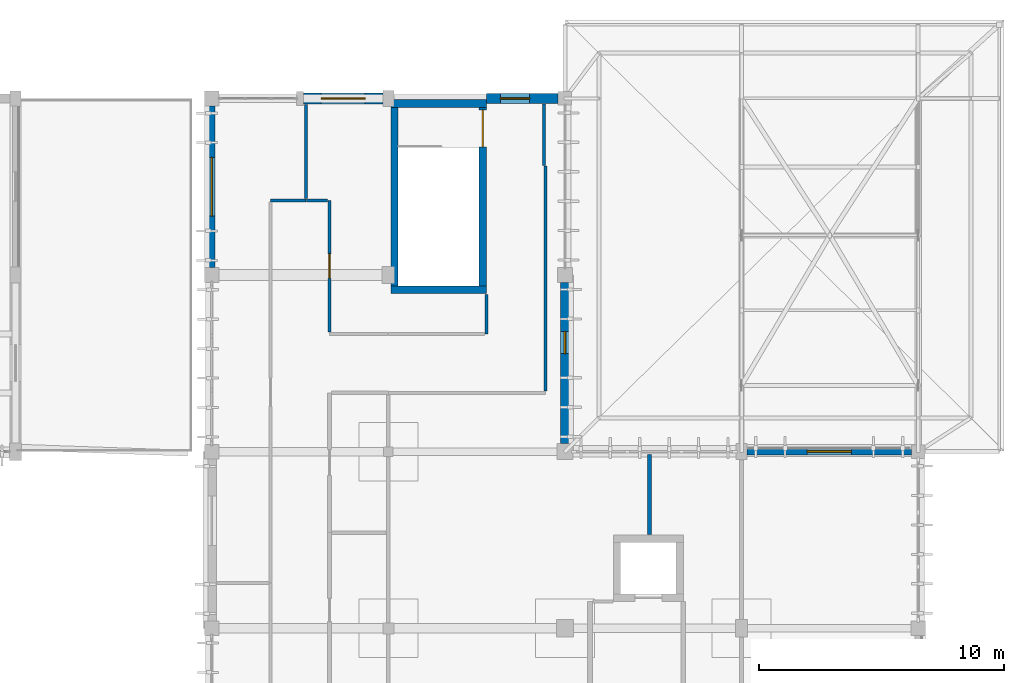
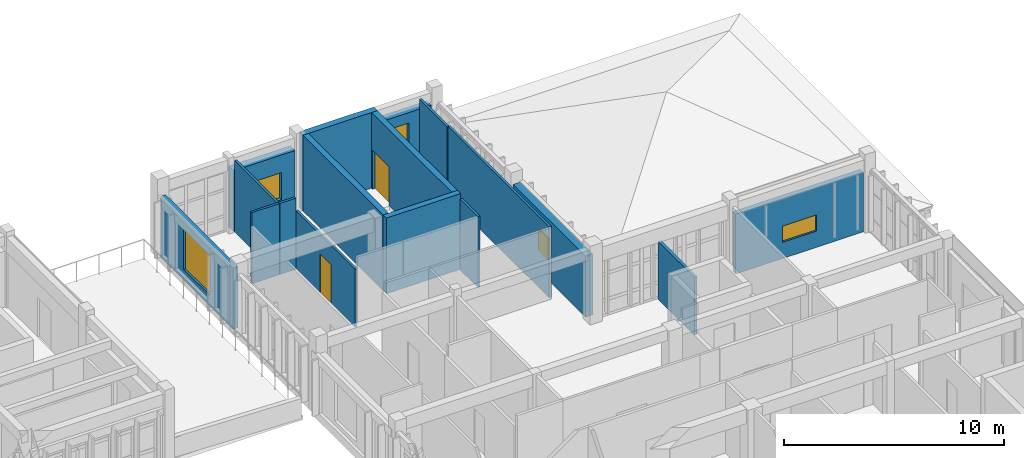
# One storey, part 39 of 51: 17 walls, 5 windows, 2 doors, 7 openings.
"""IFC4 building model written with IfcOpenShell, lengths in metres."""

from ifc_helpers import new_model, si_unit, direction, frame, frame_2d, origin, place, context, subcontext, project, spatial, rectangle, extrude, material, layer, layer_set, type_object, element, fill, save


model = new_model("IFC4")

# Units and contexts
model_context = context("Model", 3, precision=1e-05, world=origin(), true_north=direction((0.0, 1.0)))
body_context = subcontext(model_context, "Body", "Model", "MODEL_VIEW")
ifc_project = project(units=[si_unit("LENGTHUNIT", "METRE"), si_unit("AREAUNIT", "SQUARE_METRE"), si_unit("VOLUMEUNIT", "CUBIC_METRE"), si_unit("PLANEANGLEUNIT", "RADIAN"), si_unit("MASSUNIT", "GRAM", prefix="KILO")], contexts=[model_context])

# Site, building, storey
site_placement = place(None, origin())
site = spatial("IfcSite", under=ifc_project, at=site_placement, CompositionType="ELEMENT")
building_placement = place(site_placement, origin())
building = spatial("IfcBuilding", under=site, at=building_placement, Name="Steenspoor Specialist Clinic", CompositionType="ELEMENT")
storey_placement = place(building_placement, frame((0.0, 0.0, 17.39990234375)))
storey = spatial("IfcBuildingStorey", under=building, at=storey_placement, Name="L04", CompositionType="ELEMENT", Elevation=17.39990234375)

# Wall, opening, window
ifc_material_1 = material(Name="Extruded clay brick masonry", Category="masonry")
ifc_layer_1 = layer(ifc_material_1, 0.3798828125)
ifc_layer_set_1 = layer_set([ifc_layer_1], Name="Extruded clay brick masonry")
wall_type_1 = type_object("IfcWallType", Name="W-BRICK-380", PredefinedType="USERDEFINED", material=ifc_layer_set_1)
wall_1_placement = place(storey_placement, frame((132.39990234375, 100.85009765625, 0.0), z_axis=(0.0, 0.0, 1.0), x_axis=(0.0, -1.0, 0.0)))
wall_1 = element("IfcWall", 1, at=wall_1_placement, inside=storey, type_object=wall_type_1, Name="Exterior Brick Wall EW-V6-L04-0362", ObjectType="CAVITY VENEER", PredefinedType="USERDEFINED", context=body_context, shape_type="SweptSolid", body=[
    extrude(rectangle(XDim=6.5751953125, YDim=0.3798828125, at=frame_2d((3.28759765625, 0.0))), origin(), (0.0, 0.0, 1.0), 3.380126953125),
])
opening_1_placement = place(wall_1_placement, frame((2.0, 0.0, 0.89990234375)))
opening_1 = element("IfcOpeningElement", 2, at=opening_1_placement, cuts=wall_1, Name="Opening WN-21", PredefinedType="OPENING", context=body_context, shape_type="SweptSolid", body=[
    extrude(rectangle(XDim=0.89990234375, YDim=1.199951171875, at=frame_2d((0.449951171875, 0.60009765625))), frame((0.0, 0.199951171875, 0.0), z_axis=(0.0, -1.0, 0.0), x_axis=(1.0, 0.0, 0.0)), (0.0, 0.0, 1.0), 0.39990234375),
])
ifc_material_2 = material(Name="Thermally broken aluminium and low-emissivity glass", Category="aluminium")
window_type_1 = type_object("IfcWindowType", Name="WN-EXT-090X120", PartitioningType="SINGLE_PANEL", PredefinedType="WINDOW", material=ifc_material_2)
window_1_placement = place(opening_1_placement, origin())
window_1 = element("IfcWindow", 3, at=window_1_placement, inside=storey, type_object=window_type_1, Name="Window 0377", OverallHeight=1.199951171875, OverallWidth=0.89990234375, PartitioningType="SINGLE_PANEL", PredefinedType="WINDOW", context=body_context, shape_type="SweptSolid", body=[
    extrude(rectangle(XDim=0.89990234375, YDim=1.199951171875, at=frame_2d((0.449951171875, 0.60009765625))), frame((0.0, 0.030029296875, 0.0), z_axis=(0.0, -1.0, 0.0), x_axis=(1.0, 0.0, 0.0)), (0.0, 0.0, 1.0), 0.06005859375),
])
fill(opening_1, window_1)

ifc_layer_2 = layer(ifc_material_1, 0.409912109375)
ifc_layer_set_2 = layer_set([ifc_layer_2], Name="Extruded clay brick masonry")
wall_type_2 = type_object("IfcWallType", Name="W-BRICK-410", PredefinedType="USERDEFINED", material=ifc_layer_set_2)
wall_2_placement = place(storey_placement, frame((129.199951171875, 108.35009765625, 0.0), z_axis=(0.0, 0.0, 1.0), x_axis=(1.0, 0.0, 0.0)))
wall_2 = element("IfcWall", 4, at=wall_2_placement, inside=storey, type_object=wall_type_2, Name="Exterior Brick Wall EW-V6-L04-0361", ObjectType="CAVITY VENEER", PredefinedType="USERDEFINED", context=body_context, shape_type="SweptSolid", body=[
    extrude(rectangle(XDim=2.925048828125, YDim=0.409912109375, at=frame_2d((1.46240234375, 0.0))), origin(), (0.0, 0.0, 1.0), 3.380126953125),
])
opening_2_placement = place(wall_2_placement, frame((0.56494140625, 0.0, 0.60009765625)))
opening_2 = element("IfcOpeningElement", 5, at=opening_2_placement, cuts=wall_2, Name="Opening WN-15", PredefinedType="OPENING", context=body_context, shape_type="SweptSolid", body=[
    extrude(rectangle(XDim=1.199951171875, YDim=2.199951171875, at=frame_2d((0.60009765625, 1.10009765625))), frame((0.0, 0.21484375, 0.0), z_axis=(0.0, -1.0, 0.0), x_axis=(1.0, 0.0, 0.0)), (0.0, 0.0, 1.0), 0.429931640625),
])
window_type_2 = type_object("IfcWindowType", Name="WN-EXT-120X220", PartitioningType="SINGLE_PANEL", PredefinedType="WINDOW", material=ifc_material_2)
window_2_placement = place(opening_2_placement, origin())
window_2 = element("IfcWindow", 6, at=window_2_placement, inside=storey, type_object=window_type_2, Name="Window 0376", OverallHeight=2.199951171875, OverallWidth=1.199951171875, PartitioningType="SINGLE_PANEL", PredefinedType="WINDOW", context=body_context, shape_type="SweptSolid", body=[
    extrude(rectangle(XDim=1.199951171875, YDim=2.199951171875, at=frame_2d((0.60009765625, 1.10009765625))), frame((0.0, 0.030029296875, 0.0), z_axis=(0.0, -1.0, 0.0), x_axis=(1.0, 0.0, 0.0)), (0.0, 0.0, 1.0), 0.06005859375),
])
fill(opening_2, window_2)

ifc_layer_3 = layer(ifc_material_1, 0.43994140625)
ifc_layer_set_3 = layer_set([ifc_layer_3], Name="Extruded clay brick masonry")
wall_type_3 = type_object("IfcWallType", Name="W-BRICK-440", PredefinedType="USERDEFINED", material=ifc_layer_set_3)
wall_3_placement = place(storey_placement, frame((121.739990234375, 108.35009765625, 0.0), z_axis=(0.0, 0.0, 1.0), x_axis=(1.0, 0.0, 0.0)))
wall_3 = element("IfcWall", 7, at=wall_3_placement, inside=storey, type_object=wall_type_3, Name="Exterior Brick Wall EW-V6-L04-0360", ObjectType="CAVITY VENEER", PredefinedType="USERDEFINED", context=body_context, shape_type="SweptSolid", body=[
    extrude(rectangle(XDim=3.235107421875, YDim=0.43994140625, at=frame_2d((1.61767578125, 0.0))), origin(), (0.0, 0.0, 1.0), 3.380126953125),
])
opening_3_placement = place(wall_3_placement, frame((0.717529296875, 0.0, 0.89990234375)))
opening_3 = element("IfcOpeningElement", 8, at=opening_3_placement, cuts=wall_3, Name="Opening WN-13", PredefinedType="OPENING", context=body_context, shape_type="SweptSolid", body=[
    extrude(rectangle(XDim=1.800048828125, YDim=1.5, at=frame_2d((0.89990234375, 0.75))), frame((0.0, 0.22998046875, 0.0), z_axis=(0.0, -1.0, 0.0), x_axis=(1.0, 0.0, 0.0)), (0.0, 0.0, 1.0), 0.4599609375),
])
window_type_3 = type_object("IfcWindowType", Name="WN-EXT-180X150", PartitioningType="SINGLE_PANEL", PredefinedType="WINDOW", material=ifc_material_2)
window_3_placement = place(opening_3_placement, origin())
window_3 = element("IfcWindow", 9, at=window_3_placement, inside=storey, type_object=window_type_3, Name="Window 0375", OverallHeight=1.5, OverallWidth=1.800048828125, PartitioningType="SINGLE_PANEL", PredefinedType="WINDOW", context=body_context, shape_type="SweptSolid", body=[
    extrude(rectangle(XDim=1.800048828125, YDim=1.5, at=frame_2d((0.89990234375, 0.75))), frame((0.0, 0.030029296875, 0.0), z_axis=(0.0, -1.0, 0.0), x_axis=(1.0, 0.0, 0.0)), (0.0, 0.0, 1.0), 0.06005859375),
])
fill(opening_3, window_3)

# Walls
ifc_material_3 = material(Name="Gypsum acoustic clinical partition", Category="gypsum")
ifc_layer_4 = layer(ifc_material_3, 0.14990234375)
ifc_layer_set_4 = layer_set([ifc_layer_4], Name="Gypsum acoustic clinical partition")
wall_type_4 = type_object("IfcWallType", Name="W-CLIN-150", PredefinedType="PARTITIONING", material=ifc_layer_set_4)
wall_4_placement = place(storey_placement, frame((135.85009765625, 90.56494140625, 0.0), z_axis=(0.0, 0.0, 1.0), x_axis=(0.0, 1.0, 0.0)))
element("IfcWall", 10, at=wall_4_placement, inside=storey, type_object=wall_type_4, Name="Interior Partition IW-V6-L04-1925", PredefinedType="PARTITIONING", context=body_context, shape_type="SweptSolid", body=[
    extrude(rectangle(XDim=3.280029296875, YDim=0.14990234375, at=frame_2d((1.64013671875, 0.0))), origin(), (0.0, 0.0, 1.0), 3.22021484375),
])
ifc_material_4 = material(Name="Concrete C40/50", Category="concrete")
ifc_layer_5 = layer(ifc_material_4, 0.330078125)
ifc_layer_set_5 = layer_set([ifc_layer_5], Name="Concrete C40/50")
wall_type_5 = type_object("IfcWallType", Name="W-ESW-330", PredefinedType="SHEAR", material=ifc_layer_set_5)
wall_5_placement = place(storey_placement, frame((125.300048828125, 108.14990234375, 0.0), z_axis=(0.0, 0.0, 1.0), x_axis=(1.0, 0.0, 0.0)))
element("IfcWall", 11, at=wall_5_placement, inside=storey, type_object=wall_type_5, Name="Core Shear Wall SW-ST-V6A-L04-N", PredefinedType="SHEAR", context=body_context, shape_type="SweptSolid", body=[
    extrude(rectangle(XDim=3.89990234375, YDim=0.330078125, at=frame_2d((1.949951171875, 0.0))), origin(), (0.0, 0.0, 1.0), 4.2001953125),
])
ifc_material_5 = material(Name="Gypsum studio partition board", Category="gypsum")
ifc_layer_6 = layer(ifc_material_5, 0.1201171875)
ifc_layer_set_6 = layer_set([ifc_layer_6], Name="Gypsum studio partition board")
wall_type_6 = type_object("IfcWallType", Name="W-PART-120", PredefinedType="PARTITIONING", material=ifc_layer_set_6)
wall_6_placement = place(storey_placement, frame((131.60009765625, 96.425048828125, 0.0), z_axis=(0.0, 0.0, 1.0), x_axis=(0.0, 1.0, 0.0)))
element("IfcWall", 12, at=wall_6_placement, inside=storey, type_object=wall_type_6, Name="Interior Partition IW-V6-L04-1891", PredefinedType="PARTITIONING", context=body_context, shape_type="SweptSolid", body=[
    extrude(rectangle(XDim=9.175048828125, YDim=0.1201171875, at=frame_2d((4.58740234375, 0.0))), origin(), (0.0, 0.0, 1.0), 3.9501953125),
])
wall_7_placement = place(storey_placement, frame((131.550048828125, 105.614990234375, 0.0), z_axis=(0.0, 0.0, 1.0), x_axis=(0.0, 1.0, 0.0)))
element("IfcWall", 13, at=wall_7_placement, inside=storey, type_object=wall_type_6, Name="Interior Partition IW-V6-L04-1892", PredefinedType="PARTITIONING", context=body_context, shape_type="SweptSolid", body=[
    extrude(rectangle(XDim=2.514892578125, YDim=0.1201171875, at=frame_2d((1.25732421875, 0.0))), origin(), (0.0, 0.0, 1.0), 3.9501953125),
])
wall_8_placement = place(storey_placement, frame((120.39990234375, 104.199951171875, 0.0), z_axis=(0.0, 0.0, 1.0), x_axis=(1.0, 0.0, 0.0)))
element("IfcWall", 14, at=wall_8_placement, inside=storey, type_object=wall_type_6, Name="Interior Partition IW-V6-L04-1893", PredefinedType="PARTITIONING", context=body_context, shape_type="SweptSolid", body=[
    extrude(rectangle(XDim=1.4501953125, YDim=0.1201171875, at=frame_2d((0.72509765625, 0.0))), origin(), (0.0, 0.0, 1.0), 3.9501953125),
])
wall_9_placement = place(storey_placement, frame((129.199951171875, 98.75, 0.0), z_axis=(0.0, 0.0, 1.0), x_axis=(0.0, 1.0, 0.0)))
element("IfcWall", 15, at=wall_9_placement, inside=storey, type_object=wall_type_6, Name="Interior Partition IW-V6-L04-1895", PredefinedType="PARTITIONING", context=body_context, shape_type="SweptSolid", body=[
    extrude(rectangle(XDim=1.60009765625, YDim=0.1201171875, at=frame_2d((0.800048828125, 0.0))), origin(), (0.0, 0.0, 1.0), 3.9501953125),
])

# Wall, opening, door
wall_10_placement = place(storey_placement, frame((122.800048828125, 98.824951171875, 0.0), z_axis=(0.0, 0.0, 1.0), x_axis=(0.0, 1.0, 0.0)))
wall_10 = element("IfcWall", 16, at=wall_10_placement, inside=storey, type_object=wall_type_6, Name="Interior Partition IW-V6-L04-1898", PredefinedType="PARTITIONING", context=body_context, shape_type="SweptSolid", body=[
    extrude(rectangle(XDim=5.375, YDim=0.1201171875, at=frame_2d((2.6875, 0.0))), origin(), (0.0, 0.0, 1.0), 3.22021484375),
])
opening_4_placement = place(wall_10_placement, frame((2.1875, 0.0, 0.0)))
opening_4 = element("IfcOpeningElement", 17, at=opening_4_placement, cuts=wall_10, Name="Opening D0515", PredefinedType="OPENING", context=body_context, shape_type="SweptSolid", body=[
    extrude(rectangle(XDim=1.0, YDim=2.14990234375, at=frame_2d((0.5, 1.074951171875))), frame((0.0, 0.070068359375, 0.0), z_axis=(0.0, -1.0, 0.0), x_axis=(1.0, 0.0, 0.0)), (0.0, 0.0, 1.0), 0.14013671875),
])
ifc_material_6 = material(Name="Moisture-resistant HPL accessible WC door", Category="wood")
door_type_1 = type_object("IfcDoorType", Name="DT-AWC-100X215", OperationType="NOTDEFINED", PredefinedType="DOOR", material=ifc_material_6)
door_1_placement = place(opening_4_placement, origin())
door_1 = element("IfcDoor", 18, at=door_1_placement, inside=storey, type_object=door_type_1, Name="Clinical Door D0515", OperationType="SINGLE_SWING_RIGHT", OverallHeight=2.14990234375, OverallWidth=1.0, PredefinedType="DOOR", context=body_context, shape_type="SweptSolid", body=[
    extrude(rectangle(XDim=1.0, YDim=2.14990234375, at=frame_2d((0.5, 1.074951171875))), frame((0.0, 0.02490234375, 0.0), z_axis=(0.0, -1.0, 0.0), x_axis=(1.0, 0.0, 0.0)), (0.0, 0.0, 1.0), 0.050048828125),
])
fill(opening_4, door_1)

# Walls
wall_11_placement = place(storey_placement, frame((121.864990234375, 104.199951171875, 0.0), z_axis=(0.0, 0.0, 1.0), x_axis=(1.0, 0.0, 0.0)))
element("IfcWall", 19, at=wall_11_placement, inside=storey, type_object=wall_type_6, Name="Interior Partition IW-V6-L04-1899", PredefinedType="PARTITIONING", context=body_context, shape_type="SweptSolid", body=[
    extrude(rectangle(XDim=0.860107421875, YDim=0.1201171875, at=frame_2d((0.43017578125, 0.0))), origin(), (0.0, 0.0, 1.0), 3.9501953125),
])
wall_12_placement = place(storey_placement, frame((121.85009765625, 104.27490234375, 0.0), z_axis=(0.0, 0.0, 1.0), x_axis=(0.0, 1.0, 0.0)))
element("IfcWall", 20, at=wall_12_placement, inside=storey, type_object=wall_type_6, Name="Interior Partition IW-V6-L04-1928", PredefinedType="PARTITIONING", context=body_context, shape_type="SweptSolid", body=[
    extrude(rectangle(XDim=3.840087890625, YDim=0.1201171875, at=frame_2d((1.919921875, 0.0))), origin(), (0.0, 0.0, 1.0), 3.9501953125),
])

# Wall, opening, window
ifc_layer_7 = layer(ifc_material_1, 0.260009765625)
ifc_layer_set_7 = layer_set([ifc_layer_7], Name="Extruded clay brick masonry")
wall_type_7 = type_object("IfcWallType", Name="W-SCREEN-260", PredefinedType="SOLIDWALL", material=ifc_layer_set_7)
wall_13_placement = place(storey_placement, frame((118.0, 101.449951171875, 0.0), z_axis=(0.0, 0.0, 1.0), x_axis=(0.0, 1.0, 0.0)))
wall_13 = element("IfcWall", 21, at=wall_13_placement, inside=storey, type_object=wall_type_7, Name="Exterior Brick Wall EW-V6-L04-0359", PredefinedType="SOLIDWALL", context=body_context, shape_type="SweptSolid", body=[
    extrude(rectangle(XDim=6.60009765625, YDim=0.260009765625, at=frame_2d((3.300048828125, 0.0))), origin(), (0.0, 0.0, 1.0), 3.380126953125),
])
opening_5_placement = place(wall_13_placement, frame((2.10009765625, 0.0, 0.60009765625)))
opening_5 = element("IfcOpeningElement", 22, at=opening_5_placement, cuts=wall_13, Name="Opening WN-18", PredefinedType="OPENING", context=body_context, shape_type="SweptSolid", body=[
    extrude(rectangle(XDim=2.39990234375, YDim=2.199951171875, at=frame_2d((1.199951171875, 1.10009765625))), frame((0.0, 0.14013671875, 0.0), z_axis=(0.0, -1.0, 0.0), x_axis=(1.0, 0.0, 0.0)), (0.0, 0.0, 1.0), 0.280029296875),
])
window_type_4 = type_object("IfcWindowType", Name="WN-EXT-240X220", PartitioningType="SINGLE_PANEL", PredefinedType="WINDOW", material=ifc_material_2)
window_4_placement = place(opening_5_placement, origin())
window_4 = element("IfcWindow", 23, at=window_4_placement, inside=storey, type_object=window_type_4, Name="Window 0374", OverallHeight=2.199951171875, OverallWidth=2.39990234375, PartitioningType="SINGLE_PANEL", PredefinedType="WINDOW", context=body_context, shape_type="SweptSolid", body=[
    extrude(rectangle(XDim=2.39990234375, YDim=2.199951171875, at=frame_2d((1.199951171875, 1.10009765625))), frame((0.0, 0.030029296875, 0.0), z_axis=(0.0, -1.0, 0.0), x_axis=(1.0, 0.0, 0.0)), (0.0, 0.0, 1.0), 0.06005859375),
])
fill(opening_5, window_4)

wall_14_placement = place(storey_placement, frame((139.824951171875, 93.949951171875, 0.0), z_axis=(0.0, 0.0, 1.0), x_axis=(1.0, 0.0, 0.0)))
wall_14 = element("IfcWall", 24, at=wall_14_placement, inside=storey, type_object=wall_type_7, Name="Exterior Brick Wall EW-V6-L04-0363", PredefinedType="SOLIDWALL", context=body_context, shape_type="SweptSolid", body=[
    extrude(rectangle(XDim=6.699951171875, YDim=0.260009765625, at=frame_2d((3.35009765625, 0.0))), origin(), (0.0, 0.0, 1.0), 3.320068359375),
])
opening_6_placement = place(wall_14_placement, frame((2.449951171875, 0.0, 0.89990234375)))
opening_6 = element("IfcOpeningElement", 25, at=opening_6_placement, cuts=wall_14, Name="Opening WN-22", PredefinedType="OPENING", context=body_context, shape_type="SweptSolid", body=[
    extrude(rectangle(XDim=1.800048828125, YDim=0.89990234375, at=frame_2d((0.89990234375, 0.449951171875))), frame((0.0, 0.14013671875, 0.0), z_axis=(0.0, -1.0, 0.0), x_axis=(1.0, 0.0, 0.0)), (0.0, 0.0, 1.0), 0.280029296875),
])
window_type_5 = type_object("IfcWindowType", Name="WN-EXT-180X090", PartitioningType="SINGLE_PANEL", PredefinedType="WINDOW", material=ifc_material_2)
window_5_placement = place(opening_6_placement, origin())
window_5 = element("IfcWindow", 26, at=window_5_placement, inside=storey, type_object=window_type_5, Name="Window 0378", OverallHeight=0.89990234375, OverallWidth=1.800048828125, PartitioningType="SINGLE_PANEL", PredefinedType="WINDOW", context=body_context, shape_type="SweptSolid", body=[
    extrude(rectangle(XDim=1.800048828125, YDim=0.89990234375, at=frame_2d((0.89990234375, 0.449951171875))), frame((0.0, 0.030029296875, 0.0), z_axis=(0.0, -1.0, 0.0), x_axis=(1.0, 0.0, 0.0)), (0.0, 0.0, 1.0), 0.06005859375),
])
fill(opening_6, window_5)

# Walls
ifc_layer_8 = layer(ifc_material_4, 0.300048828125)
ifc_layer_set_8 = layer_set([ifc_layer_8], Name="Concrete C40/50")
wall_type_8 = type_object("IfcWallType", Name="W-SW-300", PredefinedType="SHEAR", material=ifc_layer_set_8)
wall_15_placement = place(storey_placement, frame((125.300048828125, 100.550048828125, 0.0), z_axis=(0.0, 0.0, 1.0), x_axis=(1.0, 0.0, 0.0)))
element("IfcWall", 27, at=wall_15_placement, inside=storey, type_object=wall_type_8, Name="Core Shear Wall SW-ST-V6A-L04-S", PredefinedType="SHEAR", context=body_context, shape_type="SweptSolid", body=[
    extrude(rectangle(XDim=3.89990234375, YDim=0.300048828125, at=frame_2d((1.949951171875, 0.0))), origin(), (0.0, 0.0, 1.0), 4.2001953125),
])
wall_16_placement = place(storey_placement, frame((125.449951171875, 100.699951171875, 0.0), z_axis=(0.0, 0.0, 1.0), x_axis=(0.0, 1.0, 0.0)))
element("IfcWall", 28, at=wall_16_placement, inside=storey, type_object=wall_type_8, Name="Core Shear Wall SW-ST-V6A-L04-W", PredefinedType="SHEAR", context=body_context, shape_type="SweptSolid", body=[
    extrude(rectangle(XDim=7.300048828125, YDim=0.300048828125, at=frame_2d((3.64990234375, 0.0))), origin(), (0.0, 0.0, 1.0), 4.2001953125),
])

# Wall, opening, door
wall_17_placement = place(storey_placement, frame((129.050048828125, 100.699951171875, 0.0), z_axis=(0.0, 0.0, 1.0), x_axis=(0.0, 1.0, 0.0)))
wall_17 = element("IfcWall", 29, at=wall_17_placement, inside=storey, type_object=wall_type_8, Name="Core Shear Wall SW-ST-V6A-L04-E", PredefinedType="SHEAR", context=body_context, shape_type="SweptSolid", body=[
    extrude(rectangle(XDim=7.300048828125, YDim=0.300048828125, at=frame_2d((3.64990234375, 0.0))), origin(), (0.0, 0.0, 1.0), 4.2001953125),
])
opening_7_placement = place(wall_17_placement, frame((5.679931640625, 0.0, 0.0)))
opening_7 = element("IfcOpeningElement", 30, at=opening_7_placement, cuts=wall_17, Name="Opening SD039", PredefinedType="OPENING", context=body_context, shape_type="SweptSolid", body=[
    extrude(rectangle(XDim=1.5, YDim=2.14990234375, at=frame_2d((0.75, 1.074951171875))), frame((0.0, 0.16015625, 0.0), z_axis=(0.0, -1.0, 0.0), x_axis=(1.0, 0.0, 0.0)), (0.0, 0.0, 1.0), 0.320068359375),
])
ifc_material_7 = material(Name="Fire-rated steel acoustic door", Category="steel")
door_type_2 = type_object("IfcDoorType", Name="DT-STAIR-150X215", OperationType="NOTDEFINED", PredefinedType="DOOR", material=ifc_material_7)
door_2_placement = place(opening_7_placement, origin())
door_2 = element("IfcDoor", 31, at=door_2_placement, inside=storey, type_object=door_type_2, Name="Exit Stair Fire Door SD039", OperationType="SINGLE_SWING_RIGHT", OverallHeight=2.14990234375, OverallWidth=1.5, PredefinedType="DOOR", context=body_context, shape_type="SweptSolid", body=[
    extrude(rectangle(XDim=1.5, YDim=2.14990234375, at=frame_2d((0.75, 1.074951171875))), frame((0.0, 0.02490234375, 0.0), z_axis=(0.0, -1.0, 0.0), x_axis=(1.0, 0.0, 0.0)), (0.0, 0.0, 1.0), 0.050048828125),
])
fill(opening_7, door_2)

save(model, "model.ifc")
